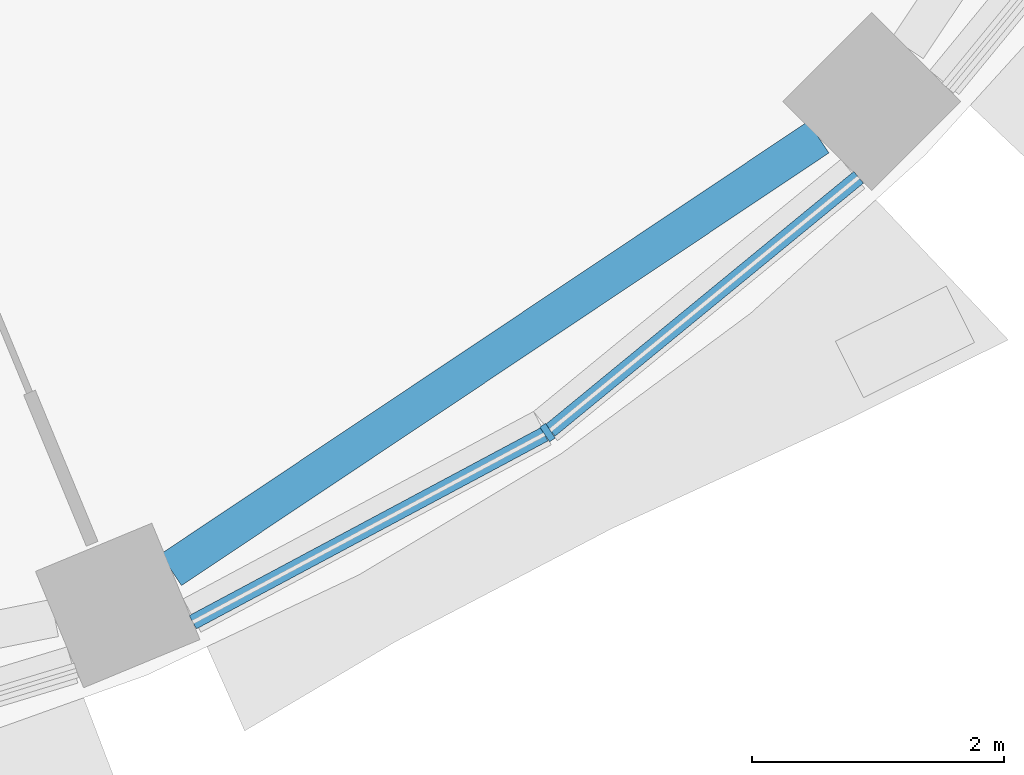
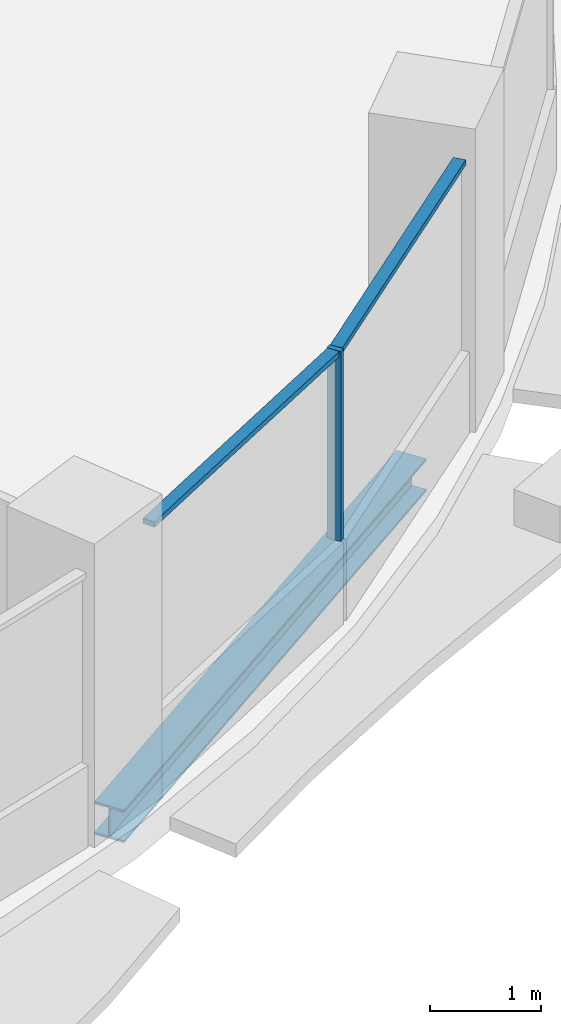
# One storey, part 3 of 15: 3 members, 1 beam, 1 element without a shape of its own.
"""IFC4 building model written with IfcOpenShell, lengths in metres."""

from ifc_helpers import new_model, si_unit, direction, frame, origin, origin_2d, place, context, subcontext, project, spatial, rectangle, i_section, extrude, material, material_profile, profile_set, type_object, element, aggregate, save


model = new_model("IFC4")

# Units and contexts
model_context = context("Model", 3, precision=1e-05, world=origin(), true_north=direction((0.0, 1.0)))
body_context = subcontext(model_context, "Body", "Model", "MODEL_VIEW")
ifc_project = project(units=[si_unit("LENGTHUNIT", "METRE"), si_unit("AREAUNIT", "SQUARE_METRE"), si_unit("VOLUMEUNIT", "CUBIC_METRE"), si_unit("PLANEANGLEUNIT", "RADIAN"), si_unit("MASSUNIT", "GRAM", prefix="KILO")], contexts=[model_context])

# Site, building, storey
site_placement = place(None, origin())
site = spatial("IfcSite", under=ifc_project, at=site_placement, CompositionType="ELEMENT")
building_placement = place(site_placement, origin())
building = spatial("IfcBuilding", under=site, at=building_placement, Name="Polderwave Tower", CompositionType="ELEMENT")
storey_placement = place(building_placement, frame((0.0, 0.0, 120.949951171875)))
storey = spatial("IfcBuildingStorey", under=building, at=storey_placement, Name="L31", CompositionType="ELEMENT", Elevation=120.949951171875)

# Curtain wall, members
ifc_material_1 = material(Name="Aluminium 6063-T6 and glass", Category="aluminium")
curtain_wall_type = type_object("IfcCurtainWallType", Name="Office ribbon glazing wall", PredefinedType="NOTDEFINED", material=ifc_material_1)
curtain_wall_placement = place(storey_placement, origin())
curtain_wall = element("IfcCurtainWall", 1, at=curtain_wall_placement, inside=storey, type_object=curtain_wall_type, Name="CW3 L31 13", PredefinedType="NOTDEFINED")
ifc_material_2 = material(Name="Aluminium 6063-T6", Category="aluminium")
ifc_material_profile_1 = material_profile(ifc_material_2, rectangle(XDim=0.139892578125, YDim=0.054931640625, at=origin_2d()), Name="AL 55x140")
ifc_profile_set_1 = profile_set([ifc_material_profile_1], Name="Aluminium 6063-T6")
member_type_1 = type_object("IfcMemberType", Name="Office ribbon glazing mullion 55x140", PredefinedType="MULLION", material=ifc_profile_set_1)
member_1_placement = place(storey_placement, frame((10.47802734375, -15.681884765625, 0.900146484375), z_axis=(0.0, 0.0, 1.0), x_axis=(-0.555594902975, 0.831453127836, 0.0)))
member_1 = element("IfcMember", 2, at=member_1_placement, type_object=member_type_1, Name="CW3 mullion 1", PredefinedType="MULLION", context=body_context, shape_type="SweptSolid", body=[
    extrude(rectangle(XDim=0.139892578125, YDim=0.054931640625, at=origin_2d()), origin(), (0.0, 0.0, 1.0), 2.099853515625),
])
ifc_material_profile_2 = material_profile(ifc_material_2, rectangle(XDim=0.1201171875, YDim=0.06005859375, at=origin_2d()), Name="AL 60x120")
ifc_profile_set_2 = profile_set([ifc_material_profile_2], Name="Aluminium 6063-T6")
member_type_2 = type_object("IfcMemberType", Name="Office ribbon glazing transom 60x120", PredefinedType="USERDEFINED", material=ifc_profile_set_2)
member_2_placement = place(storey_placement, frame((7.660888671875, -17.18798828125, 2.969970703125), z_axis=(0.881897958208, 0.471440336956, 0.0), x_axis=(-0.471440336956, 0.881897958208, 0.0)))
member_2 = element("IfcMember", 3, at=member_2_placement, type_object=member_type_2, Name="CW3 transom 1", ObjectType="TRANSOM", PredefinedType="USERDEFINED", context=body_context, shape_type="SweptSolid", body=[
    extrude(rectangle(XDim=0.1201171875, YDim=0.06005859375, at=origin_2d()), origin(), (0.0, 0.0, 1.0), 3.166748046875),
])
member_3_placement = place(storey_placement, frame((10.499267578125, -15.66455078125, 2.969970703125), z_axis=(0.773025883871, 0.634374481569, 0.0), x_axis=(-0.634374481569, 0.773025883871, 0.0)))
member_3 = element("IfcMember", 4, at=member_3_placement, type_object=member_type_2, Name="CW3 transom 2", ObjectType="TRANSOM", PredefinedType="USERDEFINED", context=body_context, shape_type="SweptSolid", body=[
    extrude(rectangle(XDim=0.1201171875, YDim=0.06005859375, at=origin_2d()), origin(), (0.0, 0.0, 1.0), 3.167724609375),
])
aggregate(curtain_wall, [member_1, member_2, member_3])

# Beam
ifc_material_3 = material(Name="Steel S355", Category="steel")
ifc_material_profile_3 = material_profile(ifc_material_3, i_section(OverallWidth=0.300048828125, OverallDepth=0.360107421875, WebThickness=0.012451171875, FlangeThickness=0.0224609375, at=origin_2d()), Name="HE 360 B")
ifc_profile_set_3 = profile_set([ifc_material_profile_3], Name="Steel S355")
beam_type = type_object("IfcBeamType", Name="RING BEAM HE 360 B", PredefinedType="BEAM", material=ifc_profile_set_3)
beam_placement = place(storey_placement, frame((7.48828125, -16.771484375, -0.530029296875), z_axis=(0.831478837086, 0.555556426907, 0.0), x_axis=(-0.555556426907, 0.831478837086, 0.0)))
element("IfcBeam", 5, at=beam_placement, inside=storey, type_object=beam_type, Name="ST-RB-L31-13", PredefinedType="BEAM", context=body_context, shape_type="SweptSolid", body=[
    extrude(i_section(OverallWidth=0.300048828125, OverallDepth=0.360107421875, WebThickness=0.012451171875, FlangeThickness=0.0224609375, at=origin_2d()), origin(), (0.0, 0.0, 1.0), 6.18310546875),
])

save(model, "model.ifc")
